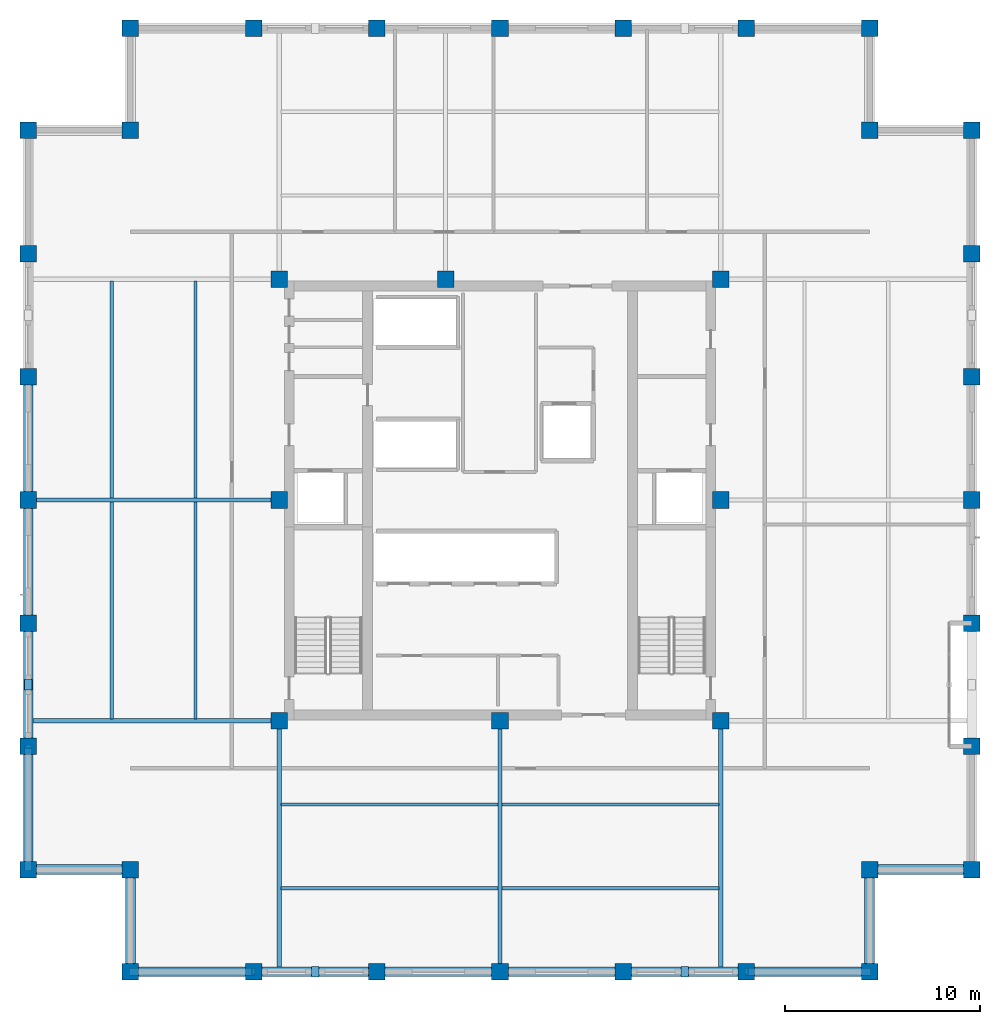
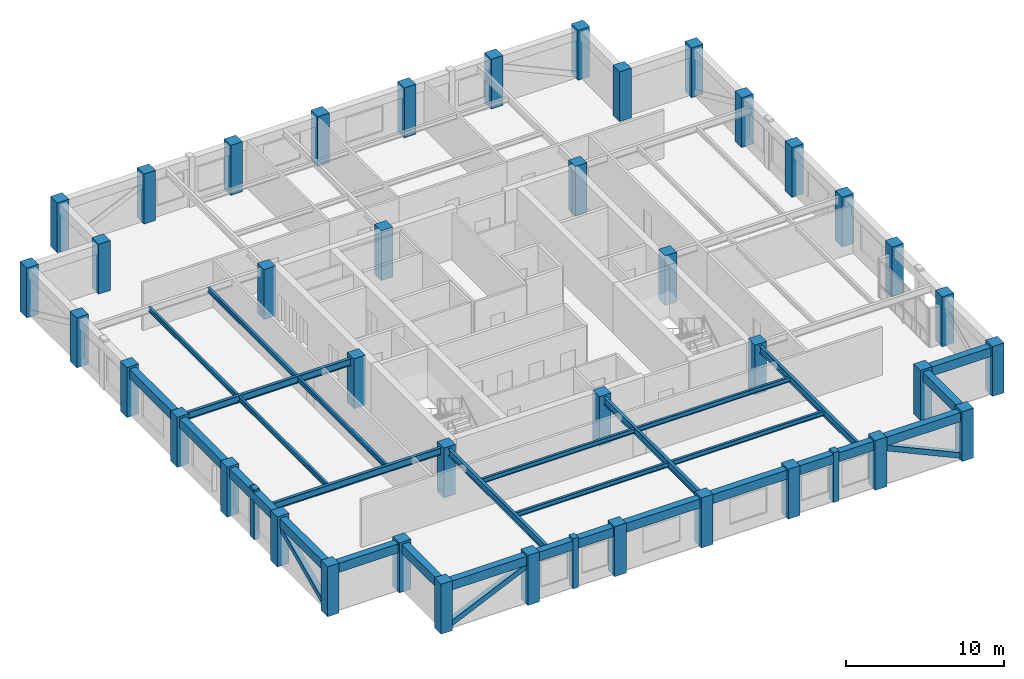
# One storey, part 1 of 11: 40 columns, 27 beams, 6 members.
"""IFC4 building model written with IfcOpenShell, lengths in metres."""

from ifc_helpers import new_model, si_unit, direction, frame, origin, origin_2d, place, context, subcontext, project, spatial, rectangle, hollow_rectangle, i_section, extrude, material, material_profile, profile_set, type_object, element, save


model = new_model("IFC4")

# Units and contexts
model_context = context("Model", 3, precision=1e-05, world=origin(), true_north=direction((0.0, 1.0)))
body_context = subcontext(model_context, "Body", "Model", "MODEL_VIEW")
ifc_project = project(units=[si_unit("LENGTHUNIT", "METRE"), si_unit("AREAUNIT", "SQUARE_METRE"), si_unit("VOLUMEUNIT", "CUBIC_METRE"), si_unit("PLANEANGLEUNIT", "RADIAN"), si_unit("MASSUNIT", "GRAM", prefix="KILO")], contexts=[model_context])

# Site, building, storey
site_placement = place(None, origin())
site = spatial("IfcSite", under=ifc_project, at=site_placement, CompositionType="ELEMENT")
building_placement = place(site_placement, origin())
building = spatial("IfcBuilding", under=site, at=building_placement, Name="Nhamokura Convention Tower", CompositionType="ELEMENT")
storey_placement = place(building_placement, frame((0.0, 0.0, 244.64990234375)))
storey = spatial("IfcBuildingStorey", under=building, at=storey_placement, Name="L60", CompositionType="ELEMENT", Elevation=244.64990234375)

# Columns
ifc_material_1 = material(Name="Concrete C50/60", Category="concrete")
ifc_material_profile_1 = material_profile(ifc_material_1, rectangle(XDim=0.85009765625, YDim=0.85009765625, at=origin_2d()))
ifc_profile_set_1 = profile_set([ifc_material_profile_1], Name="Concrete C50/60")
column_type = type_object("IfcColumnType", Name="TubeColumn_Z3_850", PredefinedType="COLUMN", material=ifc_profile_set_1)
for number, where, z_axis, x_axis, name in (
    (1, (20.64990234375, 20.64990234375, 0.0), (0.0, 0.0, 1.0), (1.0, 0.0, 0.0), "L60 Core Column CC-SW"),
    (2, (32.0, 20.64990234375, 0.0), (0.0, 0.0, 1.0), (1.0, 0.0, 0.0), "L60 Core Column CC-S"),
    (3, (43.35009765625, 20.64990234375, 0.0), (0.0, 0.0, 1.0), (1.0, 0.0, 0.0), "L60 Core Column CC-SE"),
    (4, (43.35009765625, 32.0, 0.0), (0.0, 0.0, 1.0), (1.0, 0.0, 0.0), "L60 Core Column CC-E"),
    (5, (43.35009765625, 43.35009765625, 0.0), (0.0, 0.0, 1.0), (1.0, 0.0, 0.0), "L60 Core Column CC-NE"),
    (6, (29.199951171875, 43.35009765625, 0.0), (0.0, 0.0, 1.0), (1.0, 0.0, 0.0), "L60 Core Column CC-N"),
    (7, (20.64990234375, 43.35009765625, 0.0), (0.0, 0.0, 1.0), (1.0, 0.0, 0.0), "L60 Core Column CC-NW"),
    (8, (20.64990234375, 32.0, 0.0), (0.0, 0.0, 1.0), (1.0, 0.0, 0.0), "L60 Core Column CC-W"),
    (9, (13.0, 7.75, 0.0), (0.0, 0.0, 1.0), (1.0, 0.0, 0.0), "L60 Perimeter Tube Column SW1"),
    (10, (13.0, 13.0, 0.0), (0.0, 0.0, 1.0), (1.0, 0.0, 0.0), "L60 Perimeter Tube Column SW0"),
    (11, (7.75, 13.0, 0.0), (0.0, 0.0, 1.0), (1.0, 0.0, 0.0), "L60 Perimeter Tube Column SW2"),
    (12, (51.0, 7.75, 0.0), (0.0, 0.0, 1.0), (1.0, 0.0, 0.0), "L60 Perimeter Tube Column SE1"),
    (13, (51.0, 13.0, 0.0), (0.0, 0.0, 1.0), (1.0, 0.0, 0.0), "L60 Perimeter Tube Column SE0"),
    (14, (56.25, 13.0, 0.0), (0.0, 0.0, 1.0), (1.0, 0.0, 0.0), "L60 Perimeter Tube Column SE2"),
    (15, (56.25, 51.0, 0.0), (0.0, 0.0, 1.0), (1.0, 0.0, 0.0), "L60 Perimeter Tube Column NE1"),
    (16, (51.0, 51.0, 0.0), (0.0, 0.0, 1.0), (1.0, 0.0, 0.0), "L60 Perimeter Tube Column NE0"),
    (17, (51.0, 56.25, 0.0), (0.0, 0.0, 1.0), (1.0, 0.0, 0.0), "L60 Perimeter Tube Column NE2"),
    (18, (13.0, 56.25, 0.0), (0.0, 0.0, 1.0), (1.0, 0.0, 0.0), "L60 Perimeter Tube Column NW1"),
    (19, (13.0, 51.0, 0.0), (0.0, 0.0, 1.0), (1.0, 0.0, 0.0), "L60 Perimeter Tube Column NW0"),
    (20, (7.75, 51.0, 0.0), (0.0, 0.0, 1.0), (1.0, 0.0, 0.0), "L60 Perimeter Tube Column NW2"),
    (21, (19.333251953125, 7.75, 0.0), (0.0, 0.0, 1.0), (1.0, 0.0, 0.0), "L60 Perimeter Tube Column S1"),
    (22, (19.333251953125, 56.25, 0.0), (0.0, 0.0, 1.0), (1.0, 0.0, 0.0), "L60 Perimeter Tube Column N1"),
    (23, (7.75, 19.333251953125, 0.0), (0.0, 0.0, 1.0), (1.0, 0.0, 0.0), "L60 Perimeter Tube Column W1"),
    (24, (56.25, 19.333251953125, 0.0), (0.0, 0.0, 1.0), (1.0, 0.0, 0.0), "L60 Perimeter Tube Column E1"),
    (25, (25.666748046875, 7.75, 0.0), (0.0, 0.0, 1.0), (1.0, 0.0, 0.0), "L60 Perimeter Tube Column S2"),
    (26, (25.666748046875, 56.25, 0.0), (0.0, 0.0, 1.0), (1.0, 0.0, 0.0), "L60 Perimeter Tube Column N2"),
    (27, (7.75, 25.666748046875, 0.0), (0.0, 0.0, 1.0), (1.0, 0.0, 0.0), "L60 Perimeter Tube Column W2"),
    (28, (56.25, 25.666748046875, 0.0), (0.0, 0.0, 1.0), (1.0, 0.0, 0.0), "L60 Perimeter Tube Column E2"),
    (29, (32.0, 7.75, 0.0), (0.0, 0.0, 1.0), (1.0, 0.0, 0.0), "L60 Perimeter Tube Column S3"),
    (30, (32.0, 56.25, 0.0), (0.0, 0.0, 1.0), (1.0, 0.0, 0.0), "L60 Perimeter Tube Column N3"),
    (31, (7.75, 32.0, 0.0), (0.0, 0.0, 1.0), (1.0, 0.0, 0.0), "L60 Perimeter Tube Column W3"),
    (32, (56.25, 32.0, 0.0), (0.0, 0.0, 1.0), (1.0, 0.0, 0.0), "L60 Perimeter Tube Column E3"),
    (33, (38.333251953125, 7.75, 0.0), (0.0, 0.0, 1.0), (1.0, 0.0, 0.0), "L60 Perimeter Tube Column S4"),
    (34, (38.333251953125, 56.25, 0.0), (0.0, 0.0, 1.0), (1.0, 0.0, 0.0), "L60 Perimeter Tube Column N4"),
    (35, (7.75, 38.333251953125, 0.0), (0.0, 0.0, 1.0), (1.0, 0.0, 0.0), "L60 Perimeter Tube Column W4"),
    (36, (56.25, 38.333251953125, 0.0), (0.0, 0.0, 1.0), (1.0, 0.0, 0.0), "L60 Perimeter Tube Column E4"),
    (37, (44.666748046875, 7.75, 0.0), (0.0, 0.0, 1.0), (1.0, 0.0, 0.0), "L60 Perimeter Tube Column S5"),
    (38, (44.666748046875, 56.25, 0.0), (0.0, 0.0, 1.0), (1.0, 0.0, 0.0), "L60 Perimeter Tube Column N5"),
    (39, (7.75, 44.666748046875, 0.0), (0.0, 0.0, 1.0), (1.0, 0.0, 0.0), "L60 Perimeter Tube Column W5"),
    (40, (56.25, 44.666748046875, 0.0), (0.0, 0.0, 1.0), (1.0, 0.0, 0.0), "L60 Perimeter Tube Column E5"),
):
    element("IfcColumn", number, at=place(storey_placement, frame(where, z_axis=z_axis, x_axis=x_axis)), inside=storey, type_object=column_type, Name=name, PredefinedType="COLUMN", context=body_context, shape_type="SweptSolid", body=[
        extrude(rectangle(XDim=0.85009765625, YDim=0.85009765625, at=origin_2d()), origin(), (0.0, 0.0, 1.0), 3.85009765625),
    ])

# Members
ifc_material_2 = material(Name="Bronze-pigmented precast concrete C45/55", Category="concrete")
ifc_material_profile_2 = material_profile(ifc_material_2, rectangle(XDim=0.39990234375, YDim=0.550048828125, at=origin_2d()))
ifc_profile_set_2 = profile_set([ifc_material_profile_2], Name="Bronze-pigmented precast concrete C45/55")
member_type_1 = type_object("IfcMemberType", Name="BronzePilaster_550", PredefinedType="USERDEFINED", material=ifc_profile_set_2)
for number, where, z_axis, x_axis, name in (
    (41, (22.5, 7.75, 0.0), (0.0, 0.0, 1.0), (1.0, 0.0, 0.0), "L60 Engaged Frame Pilaster SOUTH 1"),
    (42, (41.5, 7.75, 0.0), (0.0, 0.0, 1.0), (1.0, 0.0, 0.0), "L60 Engaged Frame Pilaster SOUTH 4"),
    (43, (7.75, 22.5, 0.0), (0.0, 0.0, 1.0), (1.0, 0.0, 0.0), "L60 Engaged Frame Pilaster WEST 1"),
):
    element("IfcMember", number, at=place(storey_placement, frame(where, z_axis=z_axis, x_axis=x_axis)), inside=storey, type_object=member_type_1, Name=name, ObjectType="PILASTER_TRIM", PredefinedType="USERDEFINED", context=body_context, shape_type="SweptSolid", body=[
        extrude(rectangle(XDim=0.39990234375, YDim=0.550048828125, at=origin_2d()), origin(), (0.0, 0.0, 1.0), 3.85009765625),
    ])

# Beams
ifc_material_3 = material(Name="Steel ASTM A992 Gr 50", Category="steel")
ifc_material_profile_3 = material_profile(ifc_material_3, i_section(OverallWidth=0.172119140625, OverallDepth=0.35791015625, WebThickness=0.0078125, FlangeThickness=0.01318359375, at=origin_2d()))
ifc_profile_set_3 = profile_set([ifc_material_profile_3], Name="Steel ASTM A992 Gr 50")
beam_type_1 = type_object("IfcBeamType", Name="FloorJoist_W360X57", PredefinedType="JOIST", material=ifc_profile_set_3)
for number, where, z_axis, x_axis, name in (
    (44, (20.75341796875, 12.050048828125, 3.506103515625), (1.0, 0.0, 0.0), (0.0, 1.0, 0.0), "L60 Composite Floor Joist S1A"),
    (45, (32.103515625, 12.050048828125, 3.506103515625), (1.0, 0.0, 0.0), (0.0, 1.0, 0.0), "L60 Composite Floor Joist S1B"),
    (46, (20.75341796875, 16.35009765625, 3.506103515625), (1.0, 0.0, 0.0), (0.0, 1.0, 0.0), "L60 Composite Floor Joist S2A"),
    (47, (32.103515625, 16.35009765625, 3.506103515625), (1.0, 0.0, 0.0), (0.0, 1.0, 0.0), "L60 Composite Floor Joist S2B"),
    (48, (12.050048828125, 20.75341796875, 3.506103515625), (0.0, 1.0, 0.0), (-1.0, 0.0, 0.0), "L60 Composite Floor Joist W1A"),
    (49, (12.050048828125, 32.103515625, 3.506103515625), (0.0, 1.0, 0.0), (-1.0, 0.0, 0.0), "L60 Composite Floor Joist W1B"),
    (50, (16.35009765625, 20.75341796875, 3.506103515625), (0.0, 1.0, 0.0), (-1.0, 0.0, 0.0), "L60 Composite Floor Joist W2A"),
    (51, (16.35009765625, 32.103515625, 3.506103515625), (0.0, 1.0, 0.0), (-1.0, 0.0, 0.0), "L60 Composite Floor Joist W2B"),
):
    element("IfcBeam", number, at=place(storey_placement, frame(where, z_axis=z_axis, x_axis=x_axis)), inside=storey, type_object=beam_type_1, Name=name, PredefinedType="JOIST", context=body_context, shape_type="SweptSolid", body=[
        extrude(i_section(OverallWidth=0.172119140625, OverallDepth=0.35791015625, WebThickness=0.0078125, FlangeThickness=0.01318359375, at=origin_2d()), origin(), (0.0, 0.0, 1.0), 11.14306640625),
    ])
ifc_material_4 = material(Name="Steel ASTM A992 Gr 50", Category="steel")
ifc_material_profile_4 = material_profile(ifc_material_4, i_section(OverallWidth=0.2109375, OverallDepth=0.5390625, WebThickness=0.01171875, FlangeThickness=0.018798828125, at=origin_2d()))
ifc_profile_set_4 = profile_set([ifc_material_profile_4], Name="Steel ASTM A992 Gr 50")
beam_type_2 = type_object("IfcBeamType", Name="PrimaryGirder_W530X109", PredefinedType="BEAM", material=ifc_profile_set_4)
for number, where, z_axis, x_axis, name in (
    (52, (20.64990234375, 7.75, 3.41552734375), (0.0, 1.0, 0.0), (-1.0, 0.0, 0.0), "L60 Primary Floor Girder PG-S1"),
    (53, (32.0, 7.75, 3.41552734375), (0.0, 1.0, 0.0), (-1.0, 0.0, 0.0), "L60 Primary Floor Girder PG-S2"),
    (54, (43.35009765625, 7.75, 3.41552734375), (0.0, 1.0, 0.0), (-1.0, 0.0, 0.0), "L60 Primary Floor Girder PG-S3"),
    (55, (7.75, 20.64990234375, 3.41552734375), (1.0, 0.0, 0.0), (0.0, 1.0, 0.0), "L60 Primary Floor Girder PG-W1"),
    (56, (7.75, 32.0, 3.41552734375), (1.0, 0.0, 0.0), (0.0, 1.0, 0.0), "L60 Primary Floor Girder PG-W2"),
):
    element("IfcBeam", number, at=place(storey_placement, frame(where, z_axis=z_axis, x_axis=x_axis)), inside=storey, type_object=beam_type_2, Name=name, PredefinedType="BEAM", context=body_context, shape_type="SweptSolid", body=[
        extrude(i_section(OverallWidth=0.2109375, OverallDepth=0.5390625, WebThickness=0.01171875, FlangeThickness=0.018798828125, at=origin_2d()), origin(), (0.0, 0.0, 1.0), 12.89990234375),
    ])

# Members
ifc_material_5 = material(Name="Steel ASTM A572 Gr 50", Category="steel")
ifc_material_profile_5 = material_profile(ifc_material_5, hollow_rectangle(XDim=0.39990234375, YDim=0.39990234375, WallThickness=0.02001953125, at=origin_2d()))
ifc_profile_set_5 = profile_set([ifc_material_profile_5], Name="Steel ASTM A572 Gr 50")
member_type_2 = type_object("IfcMemberType", Name="TubeBrace_HSS400", PredefinedType="BRACE", material=ifc_profile_set_5)
for number, where, z_axis, x_axis, name in (
    (57, (13.0, 7.75, 0.150146484375), (0.910027379678, 0.0, 0.41454814948), (0.0, 1.0, 0.0), "L60 Perimeter Tube Brace SOUTH Bay 0"),
    (58, (51.0, 7.75, 0.150146484375), (-0.910027379678, 0.0, 0.41454814948), (0.0, -1.0, 0.0), "L60 Perimeter Tube Brace SOUTH Bay 5"),
    (59, (7.75, 13.0, 0.150146484375), (0.0, 0.910027379678, 0.41454814948), (-1.0, 0.0, 0.0), "L60 Perimeter Tube Brace WEST Bay 0"),
):
    element("IfcMember", number, at=place(storey_placement, frame(where, z_axis=z_axis, x_axis=x_axis)), inside=storey, type_object=member_type_2, Name=name, PredefinedType="BRACE", context=body_context, shape_type="SweptSolid", body=[
        extrude(hollow_rectangle(XDim=0.39990234375, YDim=0.39990234375, WallThickness=0.02001953125, at=origin_2d()), origin(), (0.0, 0.0, 1.0), 6.95947265625),
    ])

# Beams
ifc_material_6 = material(Name="Concrete C50/60", Category="concrete")
ifc_material_profile_6 = material_profile(ifc_material_6, rectangle(XDim=0.5, YDim=0.699951171875, at=origin_2d()))
ifc_profile_set_6 = profile_set([ifc_material_profile_6], Name="Concrete C50/60")
beam_type_3 = type_object("IfcBeamType", Name="TubeSpandrel_700", PredefinedType="SPANDREL", material=ifc_profile_set_6)
beam_1_placement = place(storey_placement, frame((13.0, 7.75, 3.335205078125), z_axis=(1.0, 0.0, 0.0), x_axis=(0.0, 1.0, 0.0)))
element("IfcBeam", 60, at=beam_1_placement, inside=storey, type_object=beam_type_3, Name="L60 Perimeter Spandrel SOUTH 1", PredefinedType="SPANDREL", context=body_context, shape_type="SweptSolid", body=[
    extrude(rectangle(XDim=0.5, YDim=0.699951171875, at=origin_2d()), origin(), (0.0, 0.0, 1.0), 6.333251953125),
])
beam_2_placement = place(storey_placement, frame((19.333251953125, 7.75, 3.335205078125), z_axis=(1.0, 0.0, 0.0), x_axis=(0.0, 1.0, 0.0)))
element("IfcBeam", 61, at=beam_2_placement, inside=storey, type_object=beam_type_3, Name="L60 Perimeter Spandrel SOUTH 2", PredefinedType="SPANDREL", context=body_context, shape_type="SweptSolid", body=[
    extrude(rectangle(XDim=0.5, YDim=0.699951171875, at=origin_2d()), origin(), (0.0, 0.0, 1.0), 6.33349609375),
])
for number, where, z_axis, x_axis, name in (
    (62, (25.666748046875, 7.75, 3.335205078125), (1.0, 0.0, 0.0), (0.0, 1.0, 0.0), "L60 Perimeter Spandrel SOUTH 3"),
    (63, (32.0, 7.75, 3.335205078125), (1.0, 0.0, 0.0), (0.0, 1.0, 0.0), "L60 Perimeter Spandrel SOUTH 4"),
):
    element("IfcBeam", number, at=place(storey_placement, frame(where, z_axis=z_axis, x_axis=x_axis)), inside=storey, type_object=beam_type_3, Name=name, PredefinedType="SPANDREL", context=body_context, shape_type="SweptSolid", body=[
        extrude(rectangle(XDim=0.5, YDim=0.699951171875, at=origin_2d()), origin(), (0.0, 0.0, 1.0), 6.333251953125),
    ])
beam_3_placement = place(storey_placement, frame((38.333251953125, 7.75, 3.335205078125), z_axis=(1.0, 0.0, 0.0), x_axis=(0.0, 1.0, 0.0)))
element("IfcBeam", 64, at=beam_3_placement, inside=storey, type_object=beam_type_3, Name="L60 Perimeter Spandrel SOUTH 5", PredefinedType="SPANDREL", context=body_context, shape_type="SweptSolid", body=[
    extrude(rectangle(XDim=0.5, YDim=0.699951171875, at=origin_2d()), origin(), (0.0, 0.0, 1.0), 6.33349609375),
])
for number, where, z_axis, x_axis, name in (
    (65, (44.666748046875, 7.75, 3.335205078125), (1.0, 0.0, 0.0), (0.0, 1.0, 0.0), "L60 Perimeter Spandrel SOUTH 6"),
    (66, (7.75, 13.0, 3.335205078125), (0.0, 1.0, 0.0), (-1.0, 0.0, 0.0), "L60 Perimeter Spandrel WEST 1"),
):
    element("IfcBeam", number, at=place(storey_placement, frame(where, z_axis=z_axis, x_axis=x_axis)), inside=storey, type_object=beam_type_3, Name=name, PredefinedType="SPANDREL", context=body_context, shape_type="SweptSolid", body=[
        extrude(rectangle(XDim=0.5, YDim=0.699951171875, at=origin_2d()), origin(), (0.0, 0.0, 1.0), 6.333251953125),
    ])
beam_4_placement = place(storey_placement, frame((7.75, 19.333251953125, 3.335205078125), z_axis=(0.0, 1.0, 0.0), x_axis=(-1.0, 0.0, 0.0)))
element("IfcBeam", 67, at=beam_4_placement, inside=storey, type_object=beam_type_3, Name="L60 Perimeter Spandrel WEST 2", PredefinedType="SPANDREL", context=body_context, shape_type="SweptSolid", body=[
    extrude(rectangle(XDim=0.5, YDim=0.699951171875, at=origin_2d()), origin(), (0.0, 0.0, 1.0), 6.33349609375),
])
for number, where, z_axis, x_axis, name in (
    (68, (7.75, 25.666748046875, 3.335205078125), (0.0, 1.0, 0.0), (-1.0, 0.0, 0.0), "L60 Perimeter Spandrel WEST 3"),
    (69, (7.75, 32.0, 3.335205078125), (0.0, 1.0, 0.0), (-1.0, 0.0, 0.0), "L60 Perimeter Spandrel WEST 4"),
):
    element("IfcBeam", number, at=place(storey_placement, frame(where, z_axis=z_axis, x_axis=x_axis)), inside=storey, type_object=beam_type_3, Name=name, PredefinedType="SPANDREL", context=body_context, shape_type="SweptSolid", body=[
        extrude(rectangle(XDim=0.5, YDim=0.699951171875, at=origin_2d()), origin(), (0.0, 0.0, 1.0), 6.333251953125),
    ])
for number, where, z_axis, x_axis, name in (
    (70, (13.0, 7.75, 3.335205078125), (0.0, 1.0, 0.0), (-1.0, 0.0, 0.0), "L60 Notch Spandrel SW1"),
    (71, (13.0, 13.0, 3.335205078125), (-1.0, 0.0, 0.0), (0.0, -1.0, 0.0), "L60 Notch Spandrel SW2"),
    (72, (51.0, 7.75, 3.335205078125), (0.0, 1.0, 0.0), (-1.0, 0.0, 0.0), "L60 Notch Spandrel SE1"),
    (73, (51.0, 13.0, 3.335205078125), (1.0, 0.0, 0.0), (0.0, 1.0, 0.0), "L60 Notch Spandrel SE2"),
):
    element("IfcBeam", number, at=place(storey_placement, frame(where, z_axis=z_axis, x_axis=x_axis)), inside=storey, type_object=beam_type_3, Name=name, PredefinedType="SPANDREL", context=body_context, shape_type="SweptSolid", body=[
        extrude(rectangle(XDim=0.5, YDim=0.699951171875, at=origin_2d()), origin(), (0.0, 0.0, 1.0), 5.25),
    ])

save(model, "model.ifc")
